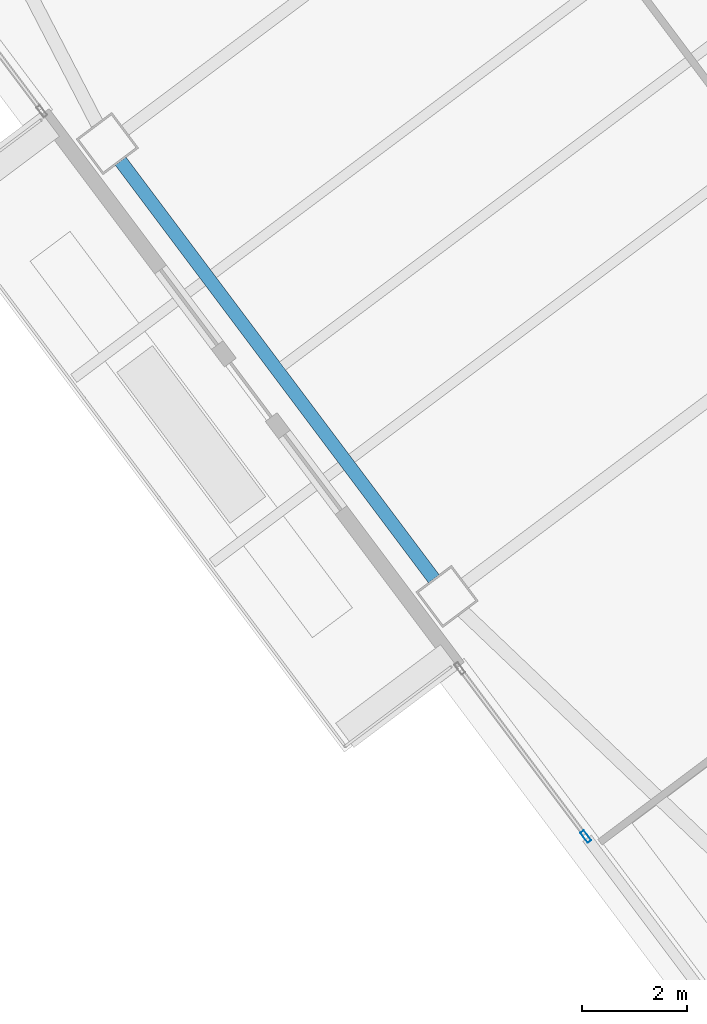
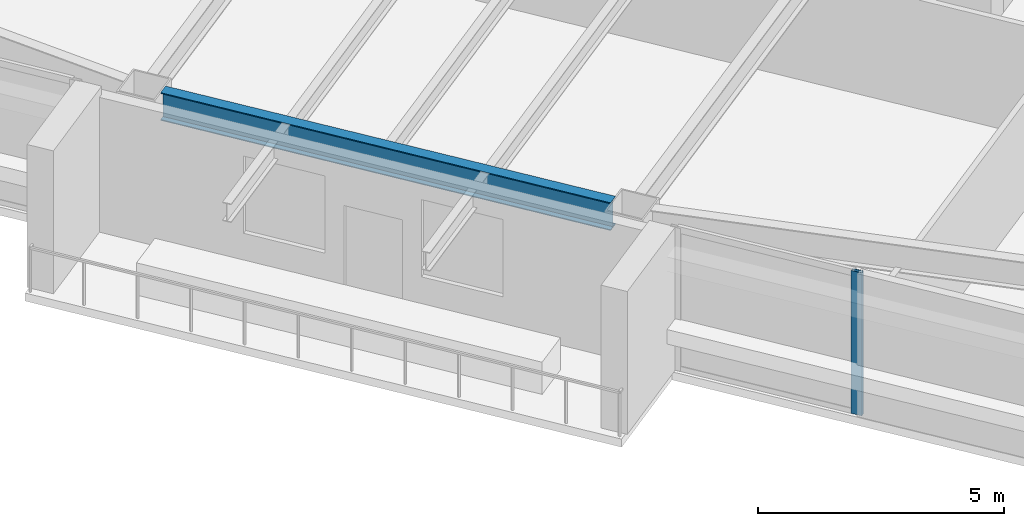
# One storey, part 19 of 48: 1 beam, 1 member, 1 element without a shape of its own.
"""IFC4 building model written with IfcOpenShell, lengths in metres."""

from ifc_helpers import new_model, si_unit, direction, frame, origin, origin_2d, place, context, subcontext, project, spatial, hollow_rectangle, i_section, extrude, material, material_profile, profile_set, type_object, element, aggregate, save


model = new_model("IFC4")

# Units and contexts
model_context = context("Model", 3, precision=1e-05, world=origin(), true_north=direction((0.0, 1.0)))
body_context = subcontext(model_context, "Body", "Model", "MODEL_VIEW")
ifc_project = project(units=[si_unit("LENGTHUNIT", "METRE"), si_unit("AREAUNIT", "SQUARE_METRE"), si_unit("VOLUMEUNIT", "CUBIC_METRE"), si_unit("PLANEANGLEUNIT", "RADIAN"), si_unit("MASSUNIT", "GRAM", prefix="KILO")], contexts=[model_context])

# Site, building, storey
site_placement = place(None, origin())
site = spatial("IfcSite", under=ifc_project, at=site_placement, CompositionType="ELEMENT")
building_placement = place(site_placement, origin())
building = spatial("IfcBuilding", under=site, at=building_placement, Name="Tashvorn Skyway Center", CompositionType="ELEMENT")
storey_placement = place(building_placement, frame((0.0, 0.0, 56.550048828125)))
storey = spatial("IfcBuildingStorey", under=building, at=storey_placement, Name="L14", CompositionType="ELEMENT", Elevation=56.550048828125)

# Beam
ifc_material_1 = material(Name="Steel ASTM A992 Grade 50", Category="steel")
ifc_material_profile_1 = material_profile(ifc_material_1, i_section(OverallWidth=0.256103515625, OverallDepth=0.693115234375, WebThickness=0.014404296875, FlangeThickness=0.023681640625, at=origin_2d()), Name="W27X114")
ifc_profile_set_1 = profile_set([ifc_material_profile_1], Name="Steel ASTM A992 Grade 50")
beam_type = type_object("IfcBeamType", Name="BM-SPANDREL-W27X114", PredefinedType="SPANDREL", material=ifc_profile_set_1)
beam_placement = place(storey_placement, frame((94.172119140625, 23.35400390625, 3.00341796875), z_axis=(0.599988234018, -0.800008824351, 0.0), x_axis=(0.800008824351, 0.599988234018, 0.0)))
element("IfcBeam", 1, at=beam_placement, inside=storey, type_object=beam_type, Name="Tower 2 L14 Spandrel Beam 11", PredefinedType="SPANDREL", context=body_context, shape_type="SweptSolid", body=[
    extrude(i_section(OverallWidth=0.256103515625, OverallDepth=0.693115234375, WebThickness=0.014404296875, FlangeThickness=0.023681640625, at=origin_2d()), origin(), (0.0, 0.0, 1.0), 9.9599609375),
])

# Curtain wall, member
ifc_material_2 = material(Name="Thermally broken bronze-anodized aluminium 6063-T6", Category="aluminium")
curtain_wall_type = type_object("IfcCurtainWallType", Name="CW-CW-Z1", PredefinedType="NOTDEFINED", material=ifc_material_2)
curtain_wall_placement = place(storey_placement, origin())
curtain_wall = element("IfcCurtainWall", 2, at=curtain_wall_placement, inside=storey, type_object=curtain_wall_type, Name="Tower 2 L14 West Curtain Wall L Glazing Group 1", PredefinedType="NOTDEFINED")
ifc_material_profile_2 = material_profile(ifc_material_2, hollow_rectangle(XDim=0.0849609375, YDim=0.239990234375, WallThickness=0.0048828125, at=origin_2d()), Name="ALU-MULL-85x240")
ifc_profile_set_2 = profile_set([ifc_material_profile_2], Name="Thermally broken bronze-anodized aluminium 6063-T6")
member_type = type_object("IfcMemberType", Name="CWM-CW-Z1", PredefinedType="MULLION", material=ifc_profile_set_2)
member_placement = place(storey_placement, frame((103.04638671875, 10.47119140625, 0.0), z_axis=(0.0, 0.0, 1.0), x_axis=(-0.800002931566, -0.599996091225, 0.0)))
member = element("IfcMember", 3, at=member_placement, type_object=member_type, Name="CW-Z1 mullion 1", PredefinedType="MULLION", context=body_context, shape_type="SweptSolid", body=[
    extrude(hollow_rectangle(XDim=0.0849609375, YDim=0.239990234375, WallThickness=0.0048828125, at=origin_2d()), origin(), (0.0, 0.0, 1.0), 3.550048828125),
])
aggregate(curtain_wall, [member])

save(model, "model.ifc")
